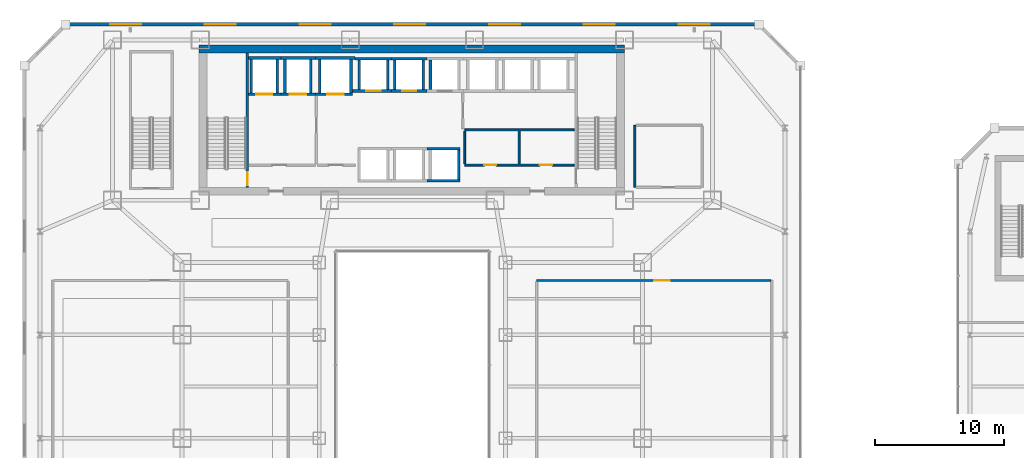
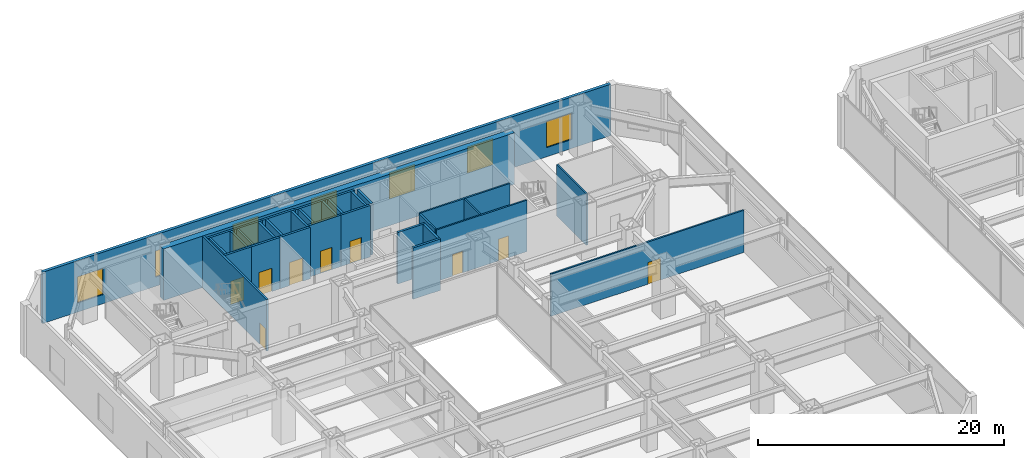
# One storey, part 40 of 52: 33 walls, 9 doors, 7 windows, 16 openings.
"""IFC4 building model written with IfcOpenShell, lengths in metres."""

from ifc_helpers import new_model, si_unit, direction, frame, frame_2d, origin, place, context, subcontext, project, spatial, rectangle, extrude, material, layer, layer_set, type_object, element, fill, save


model = new_model("IFC4")

# Units and contexts
model_context = context("Model", 3, precision=1e-05, world=origin(), true_north=direction((0.0, 1.0)))
body_context = subcontext(model_context, "Body", "Model", "MODEL_VIEW")
ifc_project = project(units=[si_unit("LENGTHUNIT", "METRE"), si_unit("AREAUNIT", "SQUARE_METRE"), si_unit("VOLUMEUNIT", "CUBIC_METRE"), si_unit("PLANEANGLEUNIT", "RADIAN"), si_unit("MASSUNIT", "GRAM", prefix="KILO")], contexts=[model_context])

# Site, building, storey
site_placement = place(None, origin())
site = spatial("IfcSite", under=ifc_project, at=site_placement, CompositionType="ELEMENT")
building_placement = place(site_placement, origin())
building = spatial("IfcBuilding", under=site, at=building_placement, Name="Saevonmaru Cultural Tower", CompositionType="ELEMENT")
storey_placement = place(building_placement, frame((0.0, 0.0, 11.39990234375)))
storey = spatial("IfcBuildingStorey", under=building, at=storey_placement, Name="L02", CompositionType="ELEMENT", Elevation=11.39990234375)

# Wall
ifc_material_1 = material(Name="Concrete C60/75", Category="concrete")
ifc_layer_1 = layer(ifc_material_1, 0.60009765625, Name="Concrete C60/75")
ifc_layer_set_1 = layer_set([ifc_layer_1], Name="Concrete C60/75")
wall_type_1 = type_object("IfcWallType", Name="WL-CORE-600", PredefinedType="SHEAR", material=ifc_layer_set_1)
wall_1_placement = place(storey_placement, frame((13.5, 54.10009765625, 0.0), z_axis=(0.0, 0.0, 1.0), x_axis=(1.0, 0.0, 0.0)))
element("IfcWall", 1, at=wall_1_placement, inside=storey, type_object=wall_type_1, Name="L02 Tower RC core shear wall N", PredefinedType="SHEAR", context=body_context, shape_type="SweptSolid", body=[
    extrude(rectangle(XDim=32.89990234375, YDim=0.60009765625, at=frame_2d((16.449951171875, 0.0))), origin(), (0.0, 0.0, 1.0), 5.10009765625),
])

# Wall, openings, doors
ifc_material_2 = material(Name="Gypsum Fireboard Partition", Category="gypsum")
ifc_layer_2 = layer(ifc_material_2, 0.14990234375, Name="Gypsum Fireboard Partition")
ifc_layer_set_2 = layer_set([ifc_layer_2], Name="Gypsum Fireboard Partition")
wall_type_2 = type_object("IfcWallType", Name="WL-CORE-PART-150", PredefinedType="PARTITIONING", material=ifc_layer_set_2)
wall_2_placement = place(storey_placement, frame((34.050048828125, 45.1201171875, 0.0), z_axis=(0.0, 0.0, 1.0), x_axis=(1.0, 0.0, 0.0)))
wall_2 = element("IfcWall", 2, at=wall_2_placement, inside=storey, type_object=wall_type_2, Name="L02 Core Plant South Wall", PredefinedType="PARTITIONING", context=body_context, shape_type="SweptSolid", body=[
    extrude(rectangle(XDim=8.449951171875, YDim=0.14990234375, at=frame_2d((4.22509765625, 0.0))), origin(), (0.0, 0.0, 1.0), 5.10009765625),
])
opening_1_placement = place(wall_2_placement, frame((1.5, 0.0, 0.0)))
opening_1 = element("IfcOpeningElement", 3, at=opening_1_placement, cuts=wall_2, Name="Opening FD-4", PredefinedType="OPENING", context=body_context, shape_type="SweptSolid", body=[
    extrude(rectangle(XDim=0.949951171875, YDim=2.14990234375, at=frame_2d((0.47509765625, 1.074951171875))), frame((0.0, 0.0849609375, 0.0), z_axis=(0.0, -1.0, 0.0), x_axis=(1.0, 0.0, 0.0)), (0.0, 0.0, 1.0), 0.169921875),
])
opening_2_placement = place(wall_2_placement, frame((5.800048828125, 0.0, 0.0)))
opening_2 = element("IfcOpeningElement", 4, at=opening_2_placement, cuts=wall_2, Name="Opening FD-4", PredefinedType="OPENING", context=body_context, shape_type="SweptSolid", body=[
    extrude(rectangle(XDim=0.949951171875, YDim=2.14990234375, at=frame_2d((0.47509765625, 1.074951171875))), frame((0.0, 0.0849609375, 0.0), z_axis=(0.0, -1.0, 0.0), x_axis=(1.0, 0.0, 0.0)), (0.0, 0.0, 1.0), 0.169921875),
])
ifc_material_3 = material(Name="Satin Bronze Anodised Aluminium", Category="aluminium")
door_type_1 = type_object("IfcDoorType", Name="DR-FD60-950", OperationType="SINGLE_SWING_LEFT", PredefinedType="DOOR", material=ifc_material_3)
door_1_placement = place(opening_1_placement, origin())
door_1 = element("IfcDoor", 5, at=door_1_placement, inside=storey, type_object=door_type_1, Name="L02 Floor AHU Plant Door", OperationType="SINGLE_SWING_LEFT", OverallHeight=2.14990234375, OverallWidth=0.949951171875, PredefinedType="DOOR", context=body_context, shape_type="SweptSolid", body=[
    extrude(rectangle(XDim=0.949951171875, YDim=2.14990234375, at=frame_2d((0.47509765625, 1.074951171875))), frame((0.0, 0.02490234375, 0.0), z_axis=(0.0, -1.0, 0.0), x_axis=(1.0, 0.0, 0.0)), (0.0, 0.0, 1.0), 0.050048828125),
])
fill(opening_1, door_1)
door_2_placement = place(opening_2_placement, origin())
door_2 = element("IfcDoor", 6, at=door_2_placement, inside=storey, type_object=door_type_1, Name="L02 Housekeeping Storage Door", OperationType="SINGLE_SWING_LEFT", OverallHeight=2.14990234375, OverallWidth=0.949951171875, PredefinedType="DOOR", context=body_context, shape_type="SweptSolid", body=[
    extrude(rectangle(XDim=0.949951171875, YDim=2.14990234375, at=frame_2d((0.47509765625, 1.074951171875))), frame((0.0, 0.02490234375, 0.0), z_axis=(0.0, -1.0, 0.0), x_axis=(1.0, 0.0, 0.0)), (0.0, 0.0, 1.0), 0.050048828125),
])
fill(opening_2, door_2)

# Walls
wall_3_placement = place(storey_placement, frame((34.050048828125, 47.85009765625, 0.0), z_axis=(0.0, 0.0, 1.0), x_axis=(1.0, 0.0, 0.0)))
element("IfcWall", 7, at=wall_3_placement, inside=storey, type_object=wall_type_2, Name="L02 Core Plant North Wall", PredefinedType="PARTITIONING", context=body_context, shape_type="SweptSolid", body=[
    extrude(rectangle(XDim=8.449951171875, YDim=0.14990234375, at=frame_2d((4.22509765625, 0.0))), origin(), (0.0, 0.0, 1.0), 5.10009765625),
])
for number, where, z_axis, x_axis, name in (
    (8, (38.25, 45.219970703125, 0.0), (0.0, 0.0, 1.0), (0.0, 1.0, 0.0), "L02 Core Plant Split"),
    (9, (34.050048828125, 45.219970703125, 0.0), (0.0, 0.0, 1.0), (0.0, 1.0, 0.0), "L02 Core Plant West Wall"),
):
    element("IfcWall", number, at=place(storey_placement, frame(where, z_axis=z_axis, x_axis=x_axis)), inside=storey, type_object=wall_type_2, Name=name, PredefinedType="PARTITIONING", context=body_context, shape_type="SweptSolid", body=[
        extrude(rectangle(XDim=2.530029296875, YDim=0.14990234375, at=frame_2d((1.26513671875, 0.0))), origin(), (0.0, 0.0, 1.0), 5.10009765625),
    ])

# Wall, openings, windows
ifc_material_4 = material(Name="Granite-Clad Precast Concrete C40/50", Category="masonry")
ifc_layer_3 = layer(ifc_material_4, 0.280029296875, Name="Granite-Clad Precast Concrete C40/50")
ifc_layer_set_3 = layer_set([ifc_layer_3], Name="Granite-Clad Precast Concrete C40/50")
wall_type_3 = type_object("IfcWallType", Name="WL-EXT-SPANDREL-280", PredefinedType="STANDARD", material=ifc_layer_set_3)
wall_4_placement = place(storey_placement, frame((56.639892578125, 56.0, 0.0), z_axis=(0.0, 0.0, 1.0), x_axis=(-1.0, 0.0, 0.0)))
wall_4 = element("IfcWall", 10, at=wall_4_placement, inside=storey, type_object=wall_type_3, Name="L02 Podium Bronze-Granite Exterior Wall E6", PredefinedType="STANDARD", context=body_context, shape_type="SweptSolid", body=[
    extrude(rectangle(XDim=53.27978515625, YDim=0.280029296875, at=frame_2d((26.639892578125, 0.0))), origin(), (0.0, 0.0, 1.0), 5.10009765625),
])
opening_3_placement = place(wall_4_placement, frame((3.6630859375, 0.0, 0.89990234375)))
opening_3 = element("IfcOpeningElement", 11, at=opening_3_placement, cuts=wall_4, Name="Opening W-1", PredefinedType="OPENING", context=body_context, shape_type="SweptSolid", body=[
    extrude(rectangle(XDim=2.39990234375, YDim=2.60009765625, at=frame_2d((1.199951171875, 1.300048828125))), frame((0.0, 0.14990234375, 0.0), z_axis=(0.0, -1.0, 0.0), x_axis=(1.0, 0.0, 0.0)), (0.0, 0.0, 1.0), 0.300048828125),
])
opening_4_placement = place(wall_4_placement, frame((10.989013671875, 0.0, 0.89990234375)))
opening_4 = element("IfcOpeningElement", 12, at=opening_4_placement, cuts=wall_4, Name="Opening W-1", PredefinedType="OPENING", context=body_context, shape_type="SweptSolid", body=[
    extrude(rectangle(XDim=2.39990234375, YDim=2.60009765625, at=frame_2d((1.199951171875, 1.300048828125))), frame((0.0, 0.14990234375, 0.0), z_axis=(0.0, -1.0, 0.0), x_axis=(1.0, 0.0, 0.0)), (0.0, 0.0, 1.0), 0.300048828125),
])
opening_5_placement = place(wall_4_placement, frame((18.31396484375, 0.0, 0.89990234375)))
opening_5 = element("IfcOpeningElement", 13, at=opening_5_placement, cuts=wall_4, Name="Opening W-1", PredefinedType="OPENING", context=body_context, shape_type="SweptSolid", body=[
    extrude(rectangle(XDim=2.39990234375, YDim=2.60009765625, at=frame_2d((1.199951171875, 1.300048828125))), frame((0.0, 0.14990234375, 0.0), z_axis=(0.0, -1.0, 0.0), x_axis=(1.0, 0.0, 0.0)), (0.0, 0.0, 1.0), 0.300048828125),
])
opening_6_placement = place(wall_4_placement, frame((25.639892578125, 0.0, 0.89990234375)))
opening_6 = element("IfcOpeningElement", 14, at=opening_6_placement, cuts=wall_4, Name="Opening W-1", PredefinedType="OPENING", context=body_context, shape_type="SweptSolid", body=[
    extrude(rectangle(XDim=2.39990234375, YDim=2.60009765625, at=frame_2d((1.199951171875, 1.300048828125))), frame((0.0, 0.14990234375, 0.0), z_axis=(0.0, -1.0, 0.0), x_axis=(1.0, 0.0, 0.0)), (0.0, 0.0, 1.0), 0.300048828125),
])
opening_7_placement = place(wall_4_placement, frame((32.966064453125, 0.0, 0.89990234375)))
opening_7 = element("IfcOpeningElement", 15, at=opening_7_placement, cuts=wall_4, Name="Opening W-1", PredefinedType="OPENING", context=body_context, shape_type="SweptSolid", body=[
    extrude(rectangle(XDim=2.39990234375, YDim=2.60009765625, at=frame_2d((1.199951171875, 1.300048828125))), frame((0.0, 0.14990234375, 0.0), z_axis=(0.0, -1.0, 0.0), x_axis=(1.0, 0.0, 0.0)), (0.0, 0.0, 1.0), 0.300048828125),
])
opening_8_placement = place(wall_4_placement, frame((40.291015625, 0.0, 0.89990234375)))
opening_8 = element("IfcOpeningElement", 16, at=opening_8_placement, cuts=wall_4, Name="Opening W-1", PredefinedType="OPENING", context=body_context, shape_type="SweptSolid", body=[
    extrude(rectangle(XDim=2.39990234375, YDim=2.60009765625, at=frame_2d((1.199951171875, 1.300048828125))), frame((0.0, 0.14990234375, 0.0), z_axis=(0.0, -1.0, 0.0), x_axis=(1.0, 0.0, 0.0)), (0.0, 0.0, 1.0), 0.300048828125),
])
opening_9_placement = place(wall_4_placement, frame((47.616943359375, 0.0, 0.89990234375)))
opening_9 = element("IfcOpeningElement", 17, at=opening_9_placement, cuts=wall_4, Name="Opening W-1", PredefinedType="OPENING", context=body_context, shape_type="SweptSolid", body=[
    extrude(rectangle(XDim=2.39990234375, YDim=2.60009765625, at=frame_2d((1.199951171875, 1.300048828125))), frame((0.0, 0.14990234375, 0.0), z_axis=(0.0, -1.0, 0.0), x_axis=(1.0, 0.0, 0.0)), (0.0, 0.0, 1.0), 0.300048828125),
])
window_type = type_object("IfcWindowType", Name="WN-DECO-2400x2600", PartitioningType="DOUBLE_PANEL_VERTICAL", PredefinedType="WINDOW", material=ifc_material_3)
window_1_placement = place(opening_3_placement, origin())
window_1 = element("IfcWindow", 18, at=window_1_placement, inside=storey, type_object=window_type, Name="L02 Art Deco Bronze Window E6-1", OverallHeight=2.60009765625, OverallWidth=2.39990234375, PartitioningType="DOUBLE_PANEL_VERTICAL", PredefinedType="WINDOW", context=body_context, shape_type="SweptSolid", body=[
    extrude(rectangle(XDim=2.39990234375, YDim=2.60009765625, at=frame_2d((1.199951171875, 1.300048828125))), frame((0.0, 0.030029296875, 0.0), z_axis=(0.0, -1.0, 0.0), x_axis=(1.0, 0.0, 0.0)), (0.0, 0.0, 1.0), 0.06005859375),
])
fill(opening_3, window_1)
window_2_placement = place(opening_4_placement, origin())
window_2 = element("IfcWindow", 19, at=window_2_placement, inside=storey, type_object=window_type, Name="L02 Art Deco Bronze Window E6-2", OverallHeight=2.60009765625, OverallWidth=2.39990234375, PartitioningType="DOUBLE_PANEL_VERTICAL", PredefinedType="WINDOW", context=body_context, shape_type="SweptSolid", body=[
    extrude(rectangle(XDim=2.39990234375, YDim=2.60009765625, at=frame_2d((1.199951171875, 1.300048828125))), frame((0.0, 0.030029296875, 0.0), z_axis=(0.0, -1.0, 0.0), x_axis=(1.0, 0.0, 0.0)), (0.0, 0.0, 1.0), 0.06005859375),
])
fill(opening_4, window_2)
window_3_placement = place(opening_5_placement, origin())
window_3 = element("IfcWindow", 20, at=window_3_placement, inside=storey, type_object=window_type, Name="L02 Art Deco Bronze Window E6-3", OverallHeight=2.60009765625, OverallWidth=2.39990234375, PartitioningType="DOUBLE_PANEL_VERTICAL", PredefinedType="WINDOW", context=body_context, shape_type="SweptSolid", body=[
    extrude(rectangle(XDim=2.39990234375, YDim=2.60009765625, at=frame_2d((1.199951171875, 1.300048828125))), frame((0.0, 0.030029296875, 0.0), z_axis=(0.0, -1.0, 0.0), x_axis=(1.0, 0.0, 0.0)), (0.0, 0.0, 1.0), 0.06005859375),
])
fill(opening_5, window_3)
window_4_placement = place(opening_6_placement, origin())
window_4 = element("IfcWindow", 21, at=window_4_placement, inside=storey, type_object=window_type, Name="L02 Art Deco Bronze Window E6-4", OverallHeight=2.60009765625, OverallWidth=2.39990234375, PartitioningType="DOUBLE_PANEL_VERTICAL", PredefinedType="WINDOW", context=body_context, shape_type="SweptSolid", body=[
    extrude(rectangle(XDim=2.39990234375, YDim=2.60009765625, at=frame_2d((1.199951171875, 1.300048828125))), frame((0.0, 0.030029296875, 0.0), z_axis=(0.0, -1.0, 0.0), x_axis=(1.0, 0.0, 0.0)), (0.0, 0.0, 1.0), 0.06005859375),
])
fill(opening_6, window_4)
window_5_placement = place(opening_7_placement, origin())
window_5 = element("IfcWindow", 22, at=window_5_placement, inside=storey, type_object=window_type, Name="L02 Art Deco Bronze Window E6-5", OverallHeight=2.60009765625, OverallWidth=2.39990234375, PartitioningType="DOUBLE_PANEL_VERTICAL", PredefinedType="WINDOW", context=body_context, shape_type="SweptSolid", body=[
    extrude(rectangle(XDim=2.39990234375, YDim=2.60009765625, at=frame_2d((1.199951171875, 1.300048828125))), frame((0.0, 0.030029296875, 0.0), z_axis=(0.0, -1.0, 0.0), x_axis=(1.0, 0.0, 0.0)), (0.0, 0.0, 1.0), 0.06005859375),
])
fill(opening_7, window_5)
window_6_placement = place(opening_8_placement, origin())
window_6 = element("IfcWindow", 23, at=window_6_placement, inside=storey, type_object=window_type, Name="L02 Art Deco Bronze Window E6-6", OverallHeight=2.60009765625, OverallWidth=2.39990234375, PartitioningType="DOUBLE_PANEL_VERTICAL", PredefinedType="WINDOW", context=body_context, shape_type="SweptSolid", body=[
    extrude(rectangle(XDim=2.39990234375, YDim=2.60009765625, at=frame_2d((1.199951171875, 1.300048828125))), frame((0.0, 0.030029296875, 0.0), z_axis=(0.0, -1.0, 0.0), x_axis=(1.0, 0.0, 0.0)), (0.0, 0.0, 1.0), 0.06005859375),
])
fill(opening_8, window_6)
window_7_placement = place(opening_9_placement, origin())
window_7 = element("IfcWindow", 24, at=window_7_placement, inside=storey, type_object=window_type, Name="L02 Art Deco Bronze Window E6-7", OverallHeight=2.60009765625, OverallWidth=2.39990234375, PartitioningType="DOUBLE_PANEL_VERTICAL", PredefinedType="WINDOW", context=body_context, shape_type="SweptSolid", body=[
    extrude(rectangle(XDim=2.39990234375, YDim=2.60009765625, at=frame_2d((1.199951171875, 1.300048828125))), frame((0.0, 0.030029296875, 0.0), z_axis=(0.0, -1.0, 0.0), x_axis=(1.0, 0.0, 0.0)), (0.0, 0.0, 1.0), 0.06005859375),
])
fill(opening_9, window_7)

# Wall, opening, door
ifc_layer_4 = layer(ifc_material_2, 0.14990234375, Name="Gypsum Fireboard Partition")
ifc_layer_set_4 = layer_set([ifc_layer_4], Name="Gypsum Fireboard Partition")
wall_type_4 = type_object("IfcWallType", Name="WL-PART-FIRE-150", PredefinedType="PARTITIONING", material=ifc_layer_set_4)
wall_5_placement = place(storey_placement, frame((39.60009765625, 36.199951171875, 0.0), z_axis=(0.0, 0.0, 1.0), x_axis=(1.0, 0.0, 0.0)))
wall_5 = element("IfcWall", 25, at=wall_5_placement, inside=storey, type_object=wall_type_4, Name="L02 East Gallery North Wall", PredefinedType="PARTITIONING", context=body_context, shape_type="SweptSolid", body=[
    extrude(rectangle(XDim=18.10498046875, YDim=0.14990234375, at=frame_2d((9.052490234375, 0.0))), origin(), (0.0, 0.0, 1.0), 4.18505859375),
])
opening_10_placement = place(wall_5_placement, frame((9.112060546875, 0.0, 0.0)))
opening_10 = element("IfcOpeningElement", 26, at=opening_10_placement, cuts=wall_5, Name="Opening FD-1", PredefinedType="OPENING", context=body_context, shape_type="SweptSolid", body=[
    extrude(rectangle(XDim=1.199951171875, YDim=2.14990234375, at=frame_2d((0.60009765625, 1.074951171875))), frame((0.0, 0.0849609375, 0.0), z_axis=(0.0, -1.0, 0.0), x_axis=(1.0, 0.0, 0.0)), (0.0, 0.0, 1.0), 0.169921875),
])
door_type_2 = type_object("IfcDoorType", Name="DR-FD60-1200", OperationType="DOUBLE_DOOR_SINGLE_SWING", PredefinedType="DOOR", material=ifc_material_3)
door_3_placement = place(opening_10_placement, origin())
door_3 = element("IfcDoor", 27, at=door_3_placement, inside=storey, type_object=door_type_2, Name="L02 Contemporary Gallery Door", OperationType="DOUBLE_DOOR_SINGLE_SWING", OverallHeight=2.14990234375, OverallWidth=1.199951171875, PredefinedType="DOOR", context=body_context, shape_type="SweptSolid", body=[
    extrude(rectangle(XDim=1.199951171875, YDim=2.14990234375, at=frame_2d((0.60009765625, 1.074951171875))), frame((0.0, 0.02490234375, 0.0), z_axis=(0.0, -1.0, 0.0), x_axis=(1.0, 0.0, 0.0)), (0.0, 0.0, 1.0), 0.050048828125),
])
fill(opening_10, door_3)

# Wall
ifc_layer_5 = layer(ifc_material_2, 0.139892578125, Name="Gypsum Fireboard Partition")
ifc_layer_set_5 = layer_set([ifc_layer_5], Name="Gypsum Fireboard Partition")
wall_type_5 = type_object("IfcWallType", Name="WL-PART-WET-140", PredefinedType="PARTITIONING", material=ifc_layer_set_5)
wall_6_placement = place(storey_placement, frame((47.199951171875, 43.39990234375, 0.0), z_axis=(0.0, 0.0, 1.0), x_axis=(0.0, 1.0, 0.0)))
element("IfcWall", 28, at=wall_6_placement, inside=storey, type_object=wall_type_5, Name="L02 Podium Washroom West Wall", PredefinedType="PARTITIONING", context=body_context, shape_type="SweptSolid", body=[
    extrude(rectangle(XDim=4.800048828125, YDim=0.139892578125, at=frame_2d((2.39990234375, 0.0))), origin(), (0.0, 0.0, 1.0), 5.10009765625),
])

# Wall, opening, door
ifc_material_5 = material(Name="Concrete C40/50", Category="concrete")
ifc_layer_6 = layer(ifc_material_5, 0.199951171875, Name="Concrete C40/50")
ifc_layer_set_6 = layer_set([ifc_layer_6], Name="Concrete C40/50")
wall_type_6 = type_object("IfcWallType", Name="WL-SHAFT-200", PredefinedType="SHEAR", material=ifc_layer_set_6)
wall_7_placement = place(storey_placement, frame((17.330078125, 50.60009765625, 0.0), z_axis=(0.0, 0.0, 1.0), x_axis=(1.0, 0.0, 0.0)))
wall_7 = element("IfcWall", 29, at=wall_7_placement, inside=storey, type_object=wall_type_6, Name="L02 Lift FFL-1 Hoistway Wall S", PredefinedType="SHEAR", context=body_context, shape_type="SweptSolid", body=[
    extrude(rectangle(XDim=2.52001953125, YDim=0.199951171875, at=frame_2d((1.260009765625, 0.0))), origin(), (0.0, 0.0, 1.0), 5.10009765625),
])
opening_11_placement = place(wall_7_placement, frame((0.594970703125, 0.0, 0.0)))
opening_11 = element("IfcOpeningElement", 30, at=opening_11_placement, cuts=wall_7, Name="Opening LD-2", PredefinedType="OPENING", context=body_context, shape_type="SweptSolid", body=[
    extrude(rectangle(XDim=1.25, YDim=2.300048828125, at=frame_2d((0.625, 1.14990234375))), frame((0.0, 0.10986328125, 0.0), z_axis=(0.0, -1.0, 0.0), x_axis=(1.0, 0.0, 0.0)), (0.0, 0.0, 1.0), 0.219970703125),
])
ifc_material_6 = material(Name="Stainless Steel 316", Category="steel")
door_type_3 = type_object("IfcDoorType", Name="DR-LIFT-1250", OperationType="SLIDING_TO_LEFT", PredefinedType="DOOR", material=ifc_material_6)
door_4_placement = place(opening_11_placement, origin())
door_4 = element("IfcDoor", 31, at=door_4_placement, inside=storey, type_object=door_type_3, Name="L02 Lift FFL-1 Sliding Landing Door", OperationType="SLIDING_TO_LEFT", OverallHeight=2.300048828125, OverallWidth=1.25, PredefinedType="DOOR", context=body_context, shape_type="SweptSolid", body=[
    extrude(rectangle(XDim=1.25, YDim=2.300048828125, at=frame_2d((0.625, 1.14990234375))), frame((0.0, 0.02490234375, 0.0), z_axis=(0.0, -1.0, 0.0), x_axis=(1.0, 0.0, 0.0)), (0.0, 0.0, 1.0), 0.050048828125),
])
fill(opening_11, door_4)

# Walls
wall_8_placement = place(storey_placement, frame((17.330078125, 53.39990234375, 0.0), z_axis=(0.0, 0.0, 1.0), x_axis=(1.0, 0.0, 0.0)))
element("IfcWall", 32, at=wall_8_placement, inside=storey, type_object=wall_type_6, Name="L02 Lift FFL-1 Hoistway Wall N", PredefinedType="SHEAR", context=body_context, shape_type="SweptSolid", body=[
    extrude(rectangle(XDim=2.52001953125, YDim=0.199951171875, at=frame_2d((1.260009765625, 0.0))), origin(), (0.0, 0.0, 1.0), 5.10009765625),
])
for number, where, z_axis, x_axis, name in (
    (33, (17.550048828125, 50.699951171875, 0.0), (0.0, 0.0, 1.0), (0.0, 1.0, 0.0), "L02 Lift FFL-1 Hoistway Wall W"),
    (34, (19.550048828125, 50.699951171875, 0.0), (0.0, 0.0, 1.0), (0.0, 1.0, 0.0), "L02 Lift FFL-1 Hoistway Wall E"),
):
    element("IfcWall", number, at=place(storey_placement, frame(where, z_axis=z_axis, x_axis=x_axis)), inside=storey, type_object=wall_type_6, Name=name, PredefinedType="SHEAR", context=body_context, shape_type="SweptSolid", body=[
        extrude(rectangle(XDim=2.60009765625, YDim=0.199951171875, at=frame_2d((1.300048828125, 0.0))), origin(), (0.0, 0.0, 1.0), 5.10009765625),
    ])

# Wall, opening, door
wall_9_placement = place(storey_placement, frame((19.85009765625, 50.60009765625, 0.0), z_axis=(0.0, 0.0, 1.0), x_axis=(1.0, 0.0, 0.0)))
wall_9 = element("IfcWall", 35, at=wall_9_placement, inside=storey, type_object=wall_type_6, Name="L02 Lift FFL-2 Hoistway Wall S", PredefinedType="SHEAR", context=body_context, shape_type="SweptSolid", body=[
    extrude(rectangle(XDim=2.64990234375, YDim=0.199951171875, at=frame_2d((1.324951171875, 0.0))), origin(), (0.0, 0.0, 1.0), 5.10009765625),
])
opening_12_placement = place(wall_9_placement, frame((0.675048828125, 0.0, 0.0)))
opening_12 = element("IfcOpeningElement", 36, at=opening_12_placement, cuts=wall_9, Name="Opening LD-2", PredefinedType="OPENING", context=body_context, shape_type="SweptSolid", body=[
    extrude(rectangle(XDim=1.25, YDim=2.300048828125, at=frame_2d((0.625, 1.14990234375))), frame((0.0, 0.10986328125, 0.0), z_axis=(0.0, -1.0, 0.0), x_axis=(1.0, 0.0, 0.0)), (0.0, 0.0, 1.0), 0.219970703125),
])
door_5_placement = place(opening_12_placement, origin())
door_5 = element("IfcDoor", 37, at=door_5_placement, inside=storey, type_object=door_type_3, Name="L02 Lift FFL-2 Sliding Landing Door", OperationType="SLIDING_TO_LEFT", OverallHeight=2.300048828125, OverallWidth=1.25, PredefinedType="DOOR", context=body_context, shape_type="SweptSolid", body=[
    extrude(rectangle(XDim=1.25, YDim=2.300048828125, at=frame_2d((0.625, 1.14990234375))), frame((0.0, 0.02490234375, 0.0), z_axis=(0.0, -1.0, 0.0), x_axis=(1.0, 0.0, 0.0)), (0.0, 0.0, 1.0), 0.050048828125),
])
fill(opening_12, door_5)

# Walls
wall_10_placement = place(storey_placement, frame((19.85009765625, 53.39990234375, 0.0), z_axis=(0.0, 0.0, 1.0), x_axis=(1.0, 0.0, 0.0)))
element("IfcWall", 38, at=wall_10_placement, inside=storey, type_object=wall_type_6, Name="L02 Lift FFL-2 Hoistway Wall N", PredefinedType="SHEAR", context=body_context, shape_type="SweptSolid", body=[
    extrude(rectangle(XDim=2.64990234375, YDim=0.199951171875, at=frame_2d((1.324951171875, 0.0))), origin(), (0.0, 0.0, 1.0), 5.10009765625),
])
for number, where, z_axis, x_axis, name in (
    (39, (20.14990234375, 50.699951171875, 0.0), (0.0, 0.0, 1.0), (0.0, 1.0, 0.0), "L02 Lift FFL-2 Hoistway Wall W"),
    (40, (22.14990234375, 50.699951171875, 0.0), (0.0, 0.0, 1.0), (0.0, 1.0, 0.0), "L02 Lift FFL-2 Hoistway Wall E"),
):
    element("IfcWall", number, at=place(storey_placement, frame(where, z_axis=z_axis, x_axis=x_axis)), inside=storey, type_object=wall_type_6, Name=name, PredefinedType="SHEAR", context=body_context, shape_type="SweptSolid", body=[
        extrude(rectangle(XDim=2.60009765625, YDim=0.199951171875, at=frame_2d((1.300048828125, 0.0))), origin(), (0.0, 0.0, 1.0), 5.10009765625),
    ])

# Wall, opening, door
wall_11_placement = place(storey_placement, frame((22.5, 50.60009765625, 0.0), z_axis=(0.0, 0.0, 1.0), x_axis=(1.0, 0.0, 0.0)))
wall_11 = element("IfcWall", 41, at=wall_11_placement, inside=storey, type_object=wall_type_6, Name="L02 Lift GL-1 Hoistway Wall S", PredefinedType="SHEAR", context=body_context, shape_type="SweptSolid", body=[
    extrude(rectangle(XDim=2.85009765625, YDim=0.199951171875, at=frame_2d((1.425048828125, 0.0))), origin(), (0.0, 0.0, 1.0), 5.10009765625),
])
opening_13_placement = place(wall_11_placement, frame((0.925048828125, 0.0, 0.0)))
opening_13 = element("IfcOpeningElement", 42, at=opening_13_placement, cuts=wall_11, Name="Opening LD-2", PredefinedType="OPENING", context=body_context, shape_type="SweptSolid", body=[
    extrude(rectangle(XDim=1.25, YDim=2.300048828125, at=frame_2d((0.625, 1.14990234375))), frame((0.0, 0.10986328125, 0.0), z_axis=(0.0, -1.0, 0.0), x_axis=(1.0, 0.0, 0.0)), (0.0, 0.0, 1.0), 0.219970703125),
])
door_6_placement = place(opening_13_placement, origin())
door_6 = element("IfcDoor", 43, at=door_6_placement, inside=storey, type_object=door_type_3, Name="L02 Lift GL-1 Sliding Landing Door", OperationType="SLIDING_TO_LEFT", OverallHeight=2.300048828125, OverallWidth=1.25, PredefinedType="DOOR", context=body_context, shape_type="SweptSolid", body=[
    extrude(rectangle(XDim=1.25, YDim=2.300048828125, at=frame_2d((0.625, 1.14990234375))), frame((0.0, 0.02490234375, 0.0), z_axis=(0.0, -1.0, 0.0), x_axis=(1.0, 0.0, 0.0)), (0.0, 0.0, 1.0), 0.050048828125),
])
fill(opening_13, door_6)

# Walls
wall_12_placement = place(storey_placement, frame((22.5, 53.39990234375, 0.0), z_axis=(0.0, 0.0, 1.0), x_axis=(1.0, 0.0, 0.0)))
element("IfcWall", 44, at=wall_12_placement, inside=storey, type_object=wall_type_6, Name="L02 Lift GL-1 Hoistway Wall N", PredefinedType="SHEAR", context=body_context, shape_type="SweptSolid", body=[
    extrude(rectangle(XDim=3.074951171875, YDim=0.199951171875, at=frame_2d((1.53759765625, 0.0))), origin(), (0.0, 0.0, 1.0), 5.10009765625),
])
for number, where, z_axis, x_axis, name in (
    (45, (22.85009765625, 50.699951171875, 0.0), (0.0, 0.0, 1.0), (0.0, 1.0, 0.0), "L02 Lift GL-1 Hoistway Wall W"),
    (46, (25.25, 50.699951171875, 0.0), (0.0, 0.0, 1.0), (0.0, 1.0, 0.0), "L02 Lift GL-1 Hoistway Wall E"),
):
    element("IfcWall", number, at=place(storey_placement, frame(where, z_axis=z_axis, x_axis=x_axis)), inside=storey, type_object=wall_type_6, Name=name, PredefinedType="SHEAR", context=body_context, shape_type="SweptSolid", body=[
        extrude(rectangle(XDim=2.60009765625, YDim=0.199951171875, at=frame_2d((1.300048828125, 0.0))), origin(), (0.0, 0.0, 1.0), 5.10009765625),
    ])

# Wall, opening, door
wall_13_placement = place(storey_placement, frame((25.35009765625, 50.85009765625, 0.0), z_axis=(0.0, 0.0, 1.0), x_axis=(1.0, 0.0, 0.0)))
wall_13 = element("IfcWall", 47, at=wall_13_placement, inside=storey, type_object=wall_type_6, Name="L02 Lift PL-L1 Hoistway Wall S", PredefinedType="SHEAR", context=body_context, shape_type="SweptSolid", body=[
    extrude(rectangle(XDim=3.02490234375, YDim=0.199951171875, at=frame_2d((1.512451171875, 0.0))), origin(), (0.0, 0.0, 1.0), 5.10009765625),
])
opening_14_placement = place(wall_13_placement, frame((1.10009765625, 0.0, 0.0)))
opening_14 = element("IfcOpeningElement", 48, at=opening_14_placement, cuts=wall_13, Name="Opening LD-1", PredefinedType="OPENING", context=body_context, shape_type="SweptSolid", body=[
    extrude(rectangle(XDim=1.10009765625, YDim=2.199951171875, at=frame_2d((0.550048828125, 1.10009765625))), frame((0.0, 0.10986328125, 0.0), z_axis=(0.0, -1.0, 0.0), x_axis=(1.0, 0.0, 0.0)), (0.0, 0.0, 1.0), 0.219970703125),
])
ifc_material_7 = material(Name="Satin Bronze Stainless Steel", Category="steel")
door_type_4 = type_object("IfcDoorType", Name="DR-LIFT-1100", OperationType="SLIDING_TO_LEFT", PredefinedType="DOOR", material=ifc_material_7)
door_7_placement = place(opening_14_placement, origin())
door_7 = element("IfcDoor", 49, at=door_7_placement, inside=storey, type_object=door_type_4, Name="L02 Lift PL-L1 Sliding Landing Door", OperationType="SLIDING_TO_LEFT", OverallHeight=2.199951171875, OverallWidth=1.10009765625, PredefinedType="DOOR", context=body_context, shape_type="SweptSolid", body=[
    extrude(rectangle(XDim=1.10009765625, YDim=2.199951171875, at=frame_2d((0.550048828125, 1.10009765625))), frame((0.0, 0.02490234375, 0.0), z_axis=(0.0, -1.0, 0.0), x_axis=(1.0, 0.0, 0.0)), (0.0, 0.0, 1.0), 0.050048828125),
])
fill(opening_14, door_7)

# Walls
wall_14_placement = place(storey_placement, frame((25.574951171875, 53.35009765625, 0.0), z_axis=(0.0, 0.0, 1.0), x_axis=(1.0, 0.0, 0.0)))
element("IfcWall", 50, at=wall_14_placement, inside=storey, type_object=wall_type_6, Name="L02 Lift PL-L1 Hoistway Wall N", PredefinedType="SHEAR", context=body_context, shape_type="SweptSolid", body=[
    extrude(rectangle(XDim=2.800048828125, YDim=0.199951171875, at=frame_2d((1.39990234375, 0.0))), origin(), (0.0, 0.0, 1.0), 5.10009765625),
])
for number, where, z_axis, x_axis, name in (
    (51, (25.89990234375, 50.949951171875, 0.0), (0.0, 0.0, 1.0), (0.0, 1.0, 0.0), "L02 Lift PL-L1 Hoistway Wall W"),
    (52, (28.10009765625, 50.949951171875, 0.0), (0.0, 0.0, 1.0), (0.0, 1.0, 0.0), "L02 Lift PL-L1 Hoistway Wall E"),
):
    element("IfcWall", number, at=place(storey_placement, frame(where, z_axis=z_axis, x_axis=x_axis)), inside=storey, type_object=wall_type_6, Name=name, PredefinedType="SHEAR", context=body_context, shape_type="SweptSolid", body=[
        extrude(rectangle(XDim=2.300048828125, YDim=0.199951171875, at=frame_2d((1.14990234375, 0.0))), origin(), (0.0, 0.0, 1.0), 5.10009765625),
    ])

# Wall, opening, door
wall_15_placement = place(storey_placement, frame((28.375, 50.85009765625, 0.0), z_axis=(0.0, 0.0, 1.0), x_axis=(1.0, 0.0, 0.0)))
wall_15 = element("IfcWall", 53, at=wall_15_placement, inside=storey, type_object=wall_type_6, Name="L02 Lift PL-L2 Hoistway Wall S", PredefinedType="SHEAR", context=body_context, shape_type="SweptSolid", body=[
    extrude(rectangle(XDim=2.75, YDim=0.199951171875, at=frame_2d((1.375, 0.0))), origin(), (0.0, 0.0, 1.0), 5.10009765625),
])
opening_15_placement = place(wall_15_placement, frame((0.824951171875, 0.0, 0.0)))
opening_15 = element("IfcOpeningElement", 54, at=opening_15_placement, cuts=wall_15, Name="Opening LD-1", PredefinedType="OPENING", context=body_context, shape_type="SweptSolid", body=[
    extrude(rectangle(XDim=1.10009765625, YDim=2.199951171875, at=frame_2d((0.550048828125, 1.10009765625))), frame((0.0, 0.10986328125, 0.0), z_axis=(0.0, -1.0, 0.0), x_axis=(1.0, 0.0, 0.0)), (0.0, 0.0, 1.0), 0.219970703125),
])
door_8_placement = place(opening_15_placement, origin())
door_8 = element("IfcDoor", 55, at=door_8_placement, inside=storey, type_object=door_type_4, Name="L02 Lift PL-L2 Sliding Landing Door", OperationType="SLIDING_TO_LEFT", OverallHeight=2.199951171875, OverallWidth=1.10009765625, PredefinedType="DOOR", context=body_context, shape_type="SweptSolid", body=[
    extrude(rectangle(XDim=1.10009765625, YDim=2.199951171875, at=frame_2d((0.550048828125, 1.10009765625))), frame((0.0, 0.02490234375, 0.0), z_axis=(0.0, -1.0, 0.0), x_axis=(1.0, 0.0, 0.0)), (0.0, 0.0, 1.0), 0.050048828125),
])
fill(opening_15, door_8)

# Walls
wall_16_placement = place(storey_placement, frame((28.375, 53.35009765625, 0.0), z_axis=(0.0, 0.0, 1.0), x_axis=(1.0, 0.0, 0.0)))
element("IfcWall", 56, at=wall_16_placement, inside=storey, type_object=wall_type_6, Name="L02 Lift PL-L2 Hoistway Wall N", PredefinedType="SHEAR", context=body_context, shape_type="SweptSolid", body=[
    extrude(rectangle(XDim=2.75, YDim=0.199951171875, at=frame_2d((1.375, 0.0))), origin(), (0.0, 0.0, 1.0), 5.10009765625),
])
for number, where, z_axis, x_axis, name in (
    (57, (28.64990234375, 50.949951171875, 0.0), (0.0, 0.0, 1.0), (0.0, 1.0, 0.0), "L02 Lift PL-L2 Hoistway Wall W"),
    (58, (30.85009765625, 50.949951171875, 0.0), (0.0, 0.0, 1.0), (0.0, 1.0, 0.0), "L02 Lift PL-L2 Hoistway Wall E"),
    (59, (31.39990234375, 50.949951171875, 0.0), (0.0, 0.0, 1.0), (0.0, 1.0, 0.0), "L02 Lift PL-L3 Hoistway Wall W"),
):
    element("IfcWall", number, at=place(storey_placement, frame(where, z_axis=z_axis, x_axis=x_axis)), inside=storey, type_object=wall_type_6, Name=name, PredefinedType="SHEAR", context=body_context, shape_type="SweptSolid", body=[
        extrude(rectangle(XDim=2.300048828125, YDim=0.199951171875, at=frame_2d((1.14990234375, 0.0))), origin(), (0.0, 0.0, 1.0), 5.10009765625),
    ])
for number, where, z_axis, x_axis, name in (
    (60, (31.125, 43.89990234375, 0.0), (0.0, 0.0, 1.0), (1.0, 0.0, 0.0), "L02 Lift PL-M3 Hoistway Wall S"),
    (61, (31.125, 46.39990234375, 0.0), (0.0, 0.0, 1.0), (1.0, 0.0, 0.0), "L02 Lift PL-M3 Hoistway Wall N"),
):
    element("IfcWall", number, at=place(storey_placement, frame(where, z_axis=z_axis, x_axis=x_axis)), inside=storey, type_object=wall_type_6, Name=name, PredefinedType="SHEAR", context=body_context, shape_type="SweptSolid", body=[
        extrude(rectangle(XDim=2.574951171875, YDim=0.199951171875, at=frame_2d((1.28759765625, 0.0))), origin(), (0.0, 0.0, 1.0), 5.10009765625),
    ])
wall_17_placement = place(storey_placement, frame((33.60009765625, 44.0, 0.0), z_axis=(0.0, 0.0, 1.0), x_axis=(0.0, 1.0, 0.0)))
element("IfcWall", 62, at=wall_17_placement, inside=storey, type_object=wall_type_6, Name="L02 Lift PL-M3 Hoistway Wall E", PredefinedType="SHEAR", context=body_context, shape_type="SweptSolid", body=[
    extrude(rectangle(XDim=2.300048828125, YDim=0.199951171875, at=frame_2d((1.14990234375, 0.0))), origin(), (0.0, 0.0, 1.0), 5.10009765625),
])

# Wall, opening, door
ifc_layer_7 = layer(ifc_material_5, 0.179931640625, Name="Concrete C40/50")
ifc_layer_set_7 = layer_set([ifc_layer_7], Name="Concrete C40/50")
wall_type_7 = type_object("IfcWallType", Name="WL-STSHAFT-180", PredefinedType="SHEAR", material=ifc_layer_set_7)
wall_18_placement = place(storey_placement, frame((17.239990234375, 43.39990234375, 0.0), z_axis=(0.0, 0.0, 1.0), x_axis=(0.0, 1.0, 0.0)))
wall_18 = element("IfcWall", 63, at=wall_18_placement, inside=storey, type_object=wall_type_7, Name="L02 Stair ST-1 Structural Shaft Wall 1", PredefinedType="SHEAR", context=body_context, shape_type="SweptSolid", body=[
    extrude(rectangle(XDim=10.400146484375, YDim=0.179931640625, at=frame_2d((5.2001953125, 0.0))), origin(), (0.0, 0.0, 1.0), 5.10009765625),
])
opening_16_placement = place(wall_18_placement, frame((0.159912109375, 0.0, 0.0)))
opening_16 = element("IfcOpeningElement", 64, at=opening_16_placement, cuts=wall_18, Name="Opening FD-3", PredefinedType="OPENING", context=body_context, shape_type="SweptSolid", body=[
    extrude(rectangle(XDim=1.0, YDim=2.14990234375, at=frame_2d((0.5, 1.074951171875))), frame((0.0, 0.10009765625, 0.0), z_axis=(0.0, -1.0, 0.0), x_axis=(1.0, 0.0, 0.0)), (0.0, 0.0, 1.0), 0.199951171875),
])
door_type_5 = type_object("IfcDoorType", Name="DR-FD60-1000", OperationType="SINGLE_SWING_RIGHT", PredefinedType="DOOR", material=ifc_material_3)
door_9_placement = place(opening_16_placement, origin())
door_9 = element("IfcDoor", 65, at=door_9_placement, inside=storey, type_object=door_type_5, Name="L02 Protected Stair ST-1 Fire Door", OperationType="SINGLE_SWING_RIGHT", OverallHeight=2.14990234375, OverallWidth=1.0, PredefinedType="DOOR", context=body_context, shape_type="SweptSolid", body=[
    extrude(rectangle(XDim=1.0, YDim=2.14990234375, at=frame_2d((0.5, 1.074951171875))), frame((0.0, 0.02490234375, 0.0), z_axis=(0.0, -1.0, 0.0), x_axis=(1.0, 0.0, 0.0)), (0.0, 0.0, 1.0), 0.050048828125),
])
fill(opening_16, door_9)

save(model, "model.ifc")
